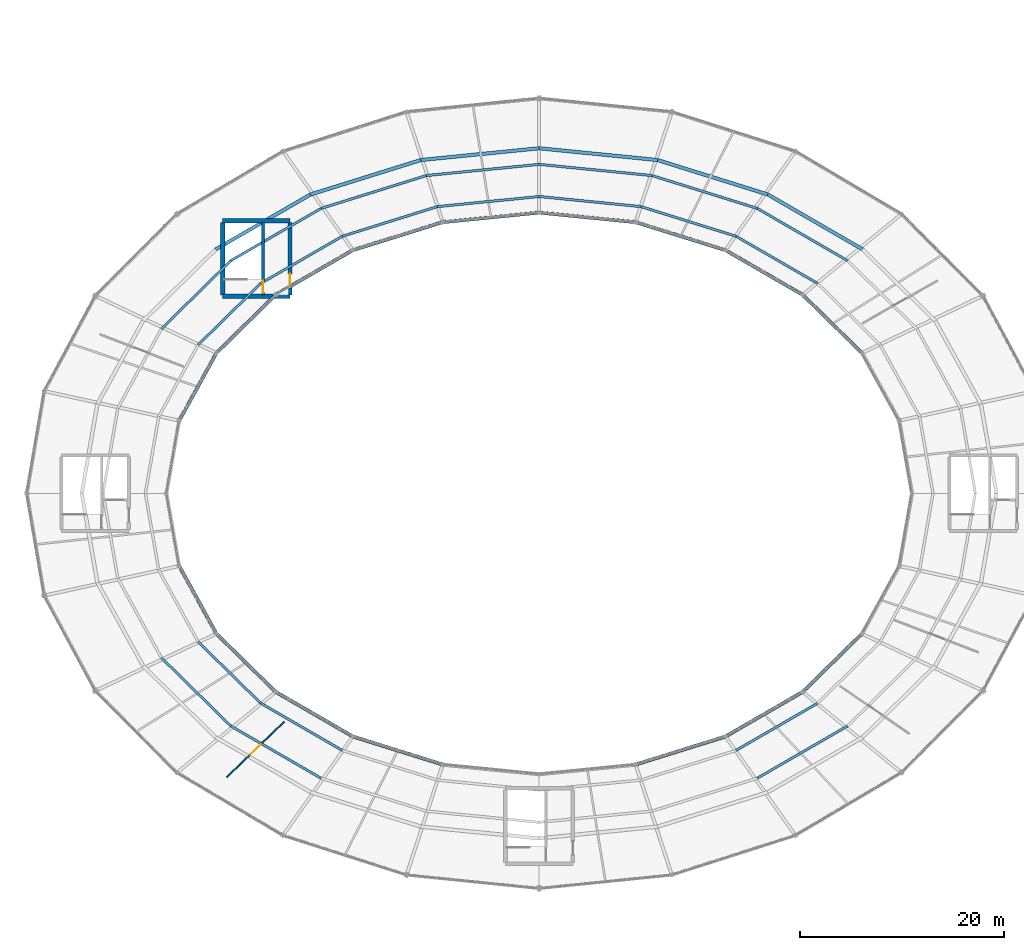
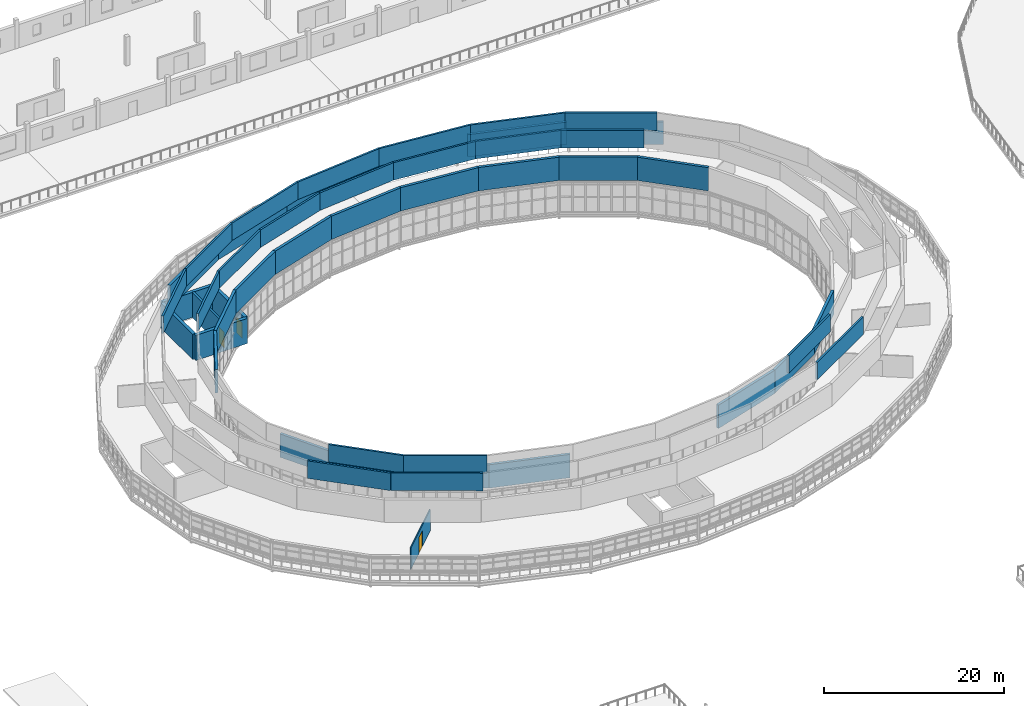
# One storey, part 102 of 123: 48 walls, 3 doors, 3 openings.
"""IFC4 building model written with IfcOpenShell, lengths in metres."""

from ifc_helpers import new_model, si_unit, direction, frame, frame_2d, origin, place, context, subcontext, project, spatial, rectangle, extrude, material, layer, layer_set, type_object, element, fill, save


model = new_model("IFC4")

# Units and contexts
model_context = context("Model", 3, precision=1e-05, world=origin(), true_north=direction((0.0, 1.0)))
body_context = subcontext(model_context, "Body", "Model", "MODEL_VIEW")
ifc_project = project(units=[si_unit("LENGTHUNIT", "METRE"), si_unit("AREAUNIT", "SQUARE_METRE"), si_unit("VOLUMEUNIT", "CUBIC_METRE"), si_unit("PLANEANGLEUNIT", "RADIAN"), si_unit("MASSUNIT", "GRAM", prefix="KILO")], contexts=[model_context])

# Site, building, storey
site_placement = place(None, origin())
site = spatial("IfcSite", under=ifc_project, at=site_placement, CompositionType="ELEMENT")
building_placement = place(site_placement, origin())
building = spatial("IfcBuilding", under=site, at=building_placement, Name="Kildeholm Park Wholesale Market", CompositionType="ELEMENT")
storey_placement = place(building_placement, frame((0.0, 0.0, 9.60009765625)))
storey = spatial("IfcBuildingStorey", under=building, at=storey_placement, Name="L02", CompositionType="ELEMENT", Elevation=9.60009765625)

# Walls
ifc_material_1 = material(Name="Precast concrete C40/50 architectural rainscreen wall", Category="concrete")
ifc_layer_1 = layer(ifc_material_1, 0.340087890625)
ifc_layer_set_1 = layer_set([ifc_layer_1], Name="Precast concrete C40/50 architectural rainscreen wall")
wall_type_1 = type_object("IfcWallType", Name="Exterior wall W-EX4 340 mm", PredefinedType="SOLIDWALL", material=ifc_layer_set_1)
wall_1_placement = place(storey_placement, frame((130.610107421875, 103.25, 4.389892578125), z_axis=(0.0, 0.0, 1.0), x_axis=(-0.713593723838, 0.700559774251, 0.0)))
element("IfcWall", 1, at=wall_1_placement, inside=storey, type_object=wall_type_1, Name="Vault inner lower wall 3 WL-0025", PredefinedType="SOLIDWALL", context=body_context, shape_type="SweptSolid", body=[
    extrude(rectangle(XDim=8.12939453125, YDim=0.340087890625, at=frame_2d((4.064697265625, 0.0))), origin(), (0.0, 0.0, 1.0), 3.159912109375),
])
wall_2_placement = place(storey_placement, frame((130.677978515625, 113.39990234375, 4.52978515625), z_axis=(0.0, 0.0, 1.0), x_axis=(-0.865403937833, 0.501074869039, 0.0)))
element("IfcWall", 2, at=wall_2_placement, inside=storey, type_object=wall_type_1, Name="Vault lantern clerestory wall 4 WL-0033", PredefinedType="SOLIDWALL", context=body_context, shape_type="SweptSolid", body=[
    extrude(rectangle(XDim=10.72119140625, YDim=0.340087890625, at=frame_2d((5.360595703125, 0.0))), origin(), (0.0, 0.0, 1.0), 3.02001953125),
])
wall_3_placement = place(storey_placement, frame((124.80908203125, 108.945068359375, 4.389892578125), z_axis=(0.0, 0.0, 1.0), x_axis=(-0.865697347457, 0.500567780231, 0.0)))
element("IfcWall", 3, at=wall_3_placement, inside=storey, type_object=wall_type_1, Name="Vault inner lower wall 4 WL-0034", PredefinedType="SOLIDWALL", context=body_context, shape_type="SweptSolid", body=[
    extrude(rectangle(XDim=8.731689453125, YDim=0.340087890625, at=frame_2d((4.36572265625, 0.0))), origin(), (0.0, 0.0, 1.0), 3.159912109375),
])
wall_4_placement = place(storey_placement, frame((129.2109375, 112.287109375, 7.579833984375), z_axis=(0.0, 0.0, 1.0), x_axis=(-0.865494949489, 0.500917650328, 0.0)))
element("IfcWall", 4, at=wall_4_placement, inside=storey, type_object=wall_type_1, Name="Vault crown outer clerestory 4 WL-0035", PredefinedType="SOLIDWALL", context=body_context, shape_type="SweptSolid", body=[
    extrude(rectangle(XDim=10.222900390625, YDim=0.239990234375, at=frame_2d((5.111328125, 0.0))), origin(), (0.0, 0.0, 1.0), 2.3701171875),
])
wall_5_placement = place(storey_placement, frame((126.277099609375, 110.05908203125, 7.579833984375), z_axis=(0.0, 0.0, 1.0), x_axis=(-0.865631472937, 0.500681688362, 0.0)))
element("IfcWall", 5, at=wall_5_placement, inside=storey, type_object=wall_type_1, Name="Vault crown inner clerestory 4 WL-0036", PredefinedType="SOLIDWALL", context=body_context, shape_type="SweptSolid", body=[
    extrude(rectangle(XDim=9.22900390625, YDim=0.239990234375, at=frame_2d((4.614501953125, 0.0))), origin(), (0.0, 0.0, 1.0), 2.3701171875),
])
wall_6_placement = place(storey_placement, frame((121.39990234375, 118.77197265625, 4.52978515625), z_axis=(0.0, 0.0, 1.0), x_axis=(-0.95449417592, 0.298229556107, 0.0)))
element("IfcWall", 6, at=wall_6_placement, inside=storey, type_object=wall_type_1, Name="Vault lantern clerestory wall 5 WL-0042", PredefinedType="SOLIDWALL", context=body_context, shape_type="SweptSolid", body=[
    extrude(rectangle(XDim=11.320068359375, YDim=0.340087890625, at=frame_2d((5.66015625, 0.0))), origin(), (0.0, 0.0, 1.0), 3.02001953125),
])
wall_7_placement = place(storey_placement, frame((117.25, 113.31591796875, 4.389892578125), z_axis=(0.0, 0.0, 1.0), x_axis=(-0.9545990852, 0.297893582568, 0.0)))
element("IfcWall", 7, at=wall_7_placement, inside=storey, type_object=wall_type_1, Name="Vault inner lower wall 5 WL-0043", PredefinedType="SOLIDWALL", context=body_context, shape_type="SweptSolid", body=[
    extrude(rectangle(XDim=9.2216796875, YDim=0.340087890625, at=frame_2d((4.61083984375, 0.0))), origin(), (0.0, 0.0, 1.0), 3.159912109375),
])
wall_8_placement = place(storey_placement, frame((120.363037109375, 117.407958984375, 7.579833984375), z_axis=(0.0, 0.0, 1.0), x_axis=(-0.954514174424, 0.298165542651, 0.0)))
element("IfcWall", 8, at=wall_8_placement, inside=storey, type_object=wall_type_1, Name="Vault crown outer clerestory 5 WL-0044", PredefinedType="SOLIDWALL", context=body_context, shape_type="SweptSolid", body=[
    extrude(rectangle(XDim=10.7958984375, YDim=0.239990234375, at=frame_2d((5.39794921875, 0.0))), origin(), (0.0, 0.0, 1.0), 2.3701171875),
])
wall_9_placement = place(storey_placement, frame((118.2880859375, 114.679931640625, 7.579833984375), z_axis=(0.0, 0.0, 1.0), x_axis=(-0.954582431614, 0.29794694369, 0.0)))
element("IfcWall", 9, at=wall_9_placement, inside=storey, type_object=wall_type_1, Name="Vault crown inner clerestory 5 WL-0045", PredefinedType="SOLIDWALL", context=body_context, shape_type="SweptSolid", body=[
    extrude(rectangle(XDim=9.746826171875, YDim=0.239990234375, at=frame_2d((4.87353515625, 0.0))), origin(), (0.0, 0.0, 1.0), 2.3701171875),
])
wall_10_placement = place(storey_placement, frame((110.594970703125, 122.14794921875, 4.52978515625), z_axis=(0.0, 0.0, 1.0), x_axis=(-0.995099849345, 0.098875122419, 0.0)))
element("IfcWall", 10, at=wall_10_placement, inside=storey, type_object=wall_type_1, Name="Vault lantern clerestory wall 6 WL-0046", PredefinedType="SOLIDWALL", context=body_context, shape_type="SweptSolid", body=[
    extrude(rectangle(XDim=11.652099609375, YDim=0.340087890625, at=frame_2d((5.826171875, 0.0))), origin(), (0.0, 0.0, 1.0), 3.02001953125),
])
wall_11_placement = place(storey_placement, frame((108.447021484375, 116.06298828125, 4.389892578125), z_axis=(0.0, 0.0, 1.0), x_axis=(-0.995117073258, 0.098701623651, 0.0)))
element("IfcWall", 11, at=wall_11_placement, inside=storey, type_object=wall_type_1, Name="Vault inner lower wall 6 WL-0047", PredefinedType="SOLIDWALL", context=body_context, shape_type="SweptSolid", body=[
    extrude(rectangle(XDim=9.493408203125, YDim=0.340087890625, at=frame_2d((4.74658203125, 0.0))), origin(), (0.0, 0.0, 1.0), 3.159912109375),
])
wall_12_placement = place(storey_placement, frame((110.05810546875, 120.626953125, 7.579833984375), z_axis=(0.0, 0.0, 1.0), x_axis=(-0.995105258288, 0.098820670548, 0.0)))
element("IfcWall", 12, at=wall_12_placement, inside=storey, type_object=wall_type_1, Name="Vault crown outer clerestory 6 WL-0048", PredefinedType="SOLIDWALL", context=body_context, shape_type="SweptSolid", body=[
    extrude(rectangle(XDim=11.112548828125, YDim=0.239990234375, at=frame_2d((5.55615234375, 0.0))), origin(), (0.0, 0.0, 1.0), 2.3701171875),
])
wall_13_placement = place(storey_placement, frame((108.98388671875, 117.583984375, 7.579833984375), z_axis=(0.0, 0.0, 1.0), x_axis=(-0.995110163253, 0.098771266021, 0.0)))
element("IfcWall", 13, at=wall_13_placement, inside=storey, type_object=wall_type_1, Name="Vault crown inner clerestory 6 WL-0049", PredefinedType="SOLIDWALL", context=body_context, shape_type="SweptSolid", body=[
    extrude(rectangle(XDim=10.032958984375, YDim=0.239990234375, at=frame_2d((5.0166015625, 0.0))), origin(), (0.0, 0.0, 1.0), 2.3701171875),
])
wall_14_placement = place(storey_placement, frame((99.0, 123.300048828125, 4.52978515625), z_axis=(0.0, 0.0, 1.0), x_axis=(-0.995099849345, -0.098875122419, 0.0)))
element("IfcWall", 14, at=wall_14_placement, inside=storey, type_object=wall_type_1, Name="Vault lantern clerestory wall 7 WL-0055", PredefinedType="SOLIDWALL", context=body_context, shape_type="SweptSolid", body=[
    extrude(rectangle(XDim=11.652099609375, YDim=0.340087890625, at=frame_2d((5.826171875, 0.0))), origin(), (0.0, 0.0, 1.0), 3.02001953125),
])
wall_15_placement = place(storey_placement, frame((99.0, 117.0, 4.389892578125), z_axis=(0.0, 0.0, 1.0), x_axis=(-0.995117073258, -0.098701623651, 0.0)))
element("IfcWall", 15, at=wall_15_placement, inside=storey, type_object=wall_type_1, Name="Vault inner lower wall 7 WL-0056", PredefinedType="SOLIDWALL", context=body_context, shape_type="SweptSolid", body=[
    extrude(rectangle(XDim=9.493408203125, YDim=0.340087890625, at=frame_2d((4.74658203125, 0.0))), origin(), (0.0, 0.0, 1.0), 3.159912109375),
])
wall_16_placement = place(storey_placement, frame((99.0, 121.72509765625, 7.579833984375), z_axis=(0.0, 0.0, 1.0), x_axis=(-0.995105258288, -0.098820670548, 0.0)))
element("IfcWall", 16, at=wall_16_placement, inside=storey, type_object=wall_type_1, Name="Vault crown outer clerestory 7 WL-0057", PredefinedType="SOLIDWALL", context=body_context, shape_type="SweptSolid", body=[
    extrude(rectangle(XDim=11.112548828125, YDim=0.239990234375, at=frame_2d((5.55615234375, 0.0))), origin(), (0.0, 0.0, 1.0), 2.3701171875),
])
wall_17_placement = place(storey_placement, frame((99.0, 118.574951171875, 7.579833984375), z_axis=(0.0, 0.0, 1.0), x_axis=(-0.995110163253, -0.098771266021, 0.0)))
element("IfcWall", 17, at=wall_17_placement, inside=storey, type_object=wall_type_1, Name="Vault crown inner clerestory 7 WL-0058", PredefinedType="SOLIDWALL", context=body_context, shape_type="SweptSolid", body=[
    extrude(rectangle(XDim=10.032958984375, YDim=0.239990234375, at=frame_2d((5.0166015625, 0.0))), origin(), (0.0, 0.0, 1.0), 2.3701171875),
])
wall_18_placement = place(storey_placement, frame((87.405029296875, 122.14794921875, 4.52978515625), z_axis=(0.0, 0.0, 1.0), x_axis=(-0.95449417592, -0.298229556107, 0.0)))
element("IfcWall", 18, at=wall_18_placement, inside=storey, type_object=wall_type_1, Name="Vault lantern clerestory wall 8 WL-0059", PredefinedType="SOLIDWALL", context=body_context, shape_type="SweptSolid", body=[
    extrude(rectangle(XDim=11.320068359375, YDim=0.340087890625, at=frame_2d((5.66015625, 0.0))), origin(), (0.0, 0.0, 1.0), 3.02001953125),
])
wall_19_placement = place(storey_placement, frame((89.552978515625, 116.06298828125, 4.389892578125), z_axis=(0.0, 0.0, 1.0), x_axis=(-0.9545990852, -0.297893582568, 0.0)))
element("IfcWall", 19, at=wall_19_placement, inside=storey, type_object=wall_type_1, Name="Vault inner lower wall 8 WL-0060", PredefinedType="SOLIDWALL", context=body_context, shape_type="SweptSolid", body=[
    extrude(rectangle(XDim=9.2216796875, YDim=0.340087890625, at=frame_2d((4.61083984375, 0.0))), origin(), (0.0, 0.0, 1.0), 3.159912109375),
])
wall_20_placement = place(storey_placement, frame((87.94189453125, 120.626953125, 7.579833984375), z_axis=(0.0, 0.0, 1.0), x_axis=(-0.954506131601, -0.298191288832, 0.0)))
element("IfcWall", 20, at=wall_20_placement, inside=storey, type_object=wall_type_1, Name="Vault crown outer clerestory 8 WL-0061", PredefinedType="SOLIDWALL", context=body_context, shape_type="SweptSolid", body=[
    extrude(rectangle(XDim=10.795166015625, YDim=0.239990234375, at=frame_2d((5.3974609375, 0.0))), origin(), (0.0, 0.0, 1.0), 2.3701171875),
])
wall_21_placement = place(storey_placement, frame((89.01611328125, 117.583984375, 7.579833984375), z_axis=(0.0, 0.0, 1.0), x_axis=(-0.954573536026, -0.297975442477, 0.0)))
element("IfcWall", 21, at=wall_21_placement, inside=storey, type_object=wall_type_1, Name="Vault crown inner clerestory 8 WL-0062", PredefinedType="SOLIDWALL", context=body_context, shape_type="SweptSolid", body=[
    extrude(rectangle(XDim=9.745849609375, YDim=0.239990234375, at=frame_2d((4.873046875, 0.0))), origin(), (0.0, 0.0, 1.0), 2.3701171875),
])
wall_22_placement = place(storey_placement, frame((76.60009765625, 118.77197265625, 4.52978515625), z_axis=(0.0, 0.0, 1.0), x_axis=(-0.865403937833, -0.501074869039, 0.0)))
element("IfcWall", 22, at=wall_22_placement, inside=storey, type_object=wall_type_1, Name="Vault lantern clerestory wall 9 WL-0068", PredefinedType="SOLIDWALL", context=body_context, shape_type="SweptSolid", body=[
    extrude(rectangle(XDim=10.72119140625, YDim=0.340087890625, at=frame_2d((5.360595703125, 0.0))), origin(), (0.0, 0.0, 1.0), 3.02001953125),
])
wall_23_placement = place(storey_placement, frame((80.75, 113.31591796875, 4.389892578125), z_axis=(0.0, 0.0, 1.0), x_axis=(-0.865697347457, -0.500567780231, 0.0)))
element("IfcWall", 23, at=wall_23_placement, inside=storey, type_object=wall_type_1, Name="Vault inner lower wall 9 WL-0069", PredefinedType="SOLIDWALL", context=body_context, shape_type="SweptSolid", body=[
    extrude(rectangle(XDim=8.731689453125, YDim=0.340087890625, at=frame_2d((4.36572265625, 0.0))), origin(), (0.0, 0.0, 1.0), 3.159912109375),
])
wall_24_placement = place(storey_placement, frame((77.637939453125, 117.407958984375, 7.579833984375), z_axis=(0.0, 0.0, 1.0), x_axis=(-0.865518915909, -0.50087623841, 0.0)))
element("IfcWall", 24, at=wall_24_placement, inside=storey, type_object=wall_type_1, Name="Vault crown outer clerestory 9 WL-0070", PredefinedType="SOLIDWALL", context=body_context, shape_type="SweptSolid", body=[
    extrude(rectangle(XDim=10.223876953125, YDim=0.239990234375, at=frame_2d((5.11181640625, 0.0))), origin(), (0.0, 0.0, 1.0), 2.3701171875),
])
wall_25_placement = place(storey_placement, frame((79.712890625, 114.679931640625, 7.579833984375), z_axis=(0.0, 0.0, 1.0), x_axis=(-0.865657994778, -0.500635831795, 0.0)))
element("IfcWall", 25, at=wall_25_placement, inside=storey, type_object=wall_type_1, Name="Vault crown inner clerestory 9 WL-0071", PredefinedType="SOLIDWALL", context=body_context, shape_type="SweptSolid", body=[
    extrude(rectangle(XDim=9.22998046875, YDim=0.239990234375, at=frame_2d((4.614990234375, 0.0))), origin(), (0.0, 0.0, 1.0), 2.3701171875),
])
wall_26_placement = place(storey_placement, frame((73.19091796875, 108.945068359375, 4.389892578125), z_axis=(0.0, 0.0, 1.0), x_axis=(-0.713593723838, -0.700559774251, 0.0)))
element("IfcWall", 26, at=wall_26_placement, inside=storey, type_object=wall_type_1, Name="Vault inner lower wall 10 WL-0078", PredefinedType="SOLIDWALL", context=body_context, shape_type="SweptSolid", body=[
    extrude(rectangle(XDim=8.12939453125, YDim=0.340087890625, at=frame_2d((4.064697265625, 0.0))), origin(), (0.0, 0.0, 1.0), 3.159912109375),
])
wall_27_placement = place(storey_placement, frame((68.7890625, 112.287109375, 7.579833984375), z_axis=(0.0, 0.0, 1.0), x_axis=(-0.71311938496, -0.701042611254, 0.0)))
element("IfcWall", 27, at=wall_27_placement, inside=storey, type_object=wall_type_1, Name="Vault crown outer clerestory 10 WL-0079", PredefinedType="SOLIDWALL", context=body_context, shape_type="SweptSolid", body=[
    extrude(rectangle(XDim=9.521484375, YDim=0.239990234375, at=frame_2d((4.7607421875, 0.0))), origin(), (0.0, 0.0, 1.0), 2.3701171875),
])
wall_28_placement = place(storey_placement, frame((71.722900390625, 110.05908203125, 7.579833984375), z_axis=(0.0, 0.0, 1.0), x_axis=(-0.713357861119, -0.700799944335, 0.0)))
element("IfcWall", 28, at=wall_28_placement, inside=storey, type_object=wall_type_1, Name="Vault crown inner clerestory 10 WL-0080", PredefinedType="SOLIDWALL", context=body_context, shape_type="SweptSolid", body=[
    extrude(rectangle(XDim=8.593017578125, YDim=0.239990234375, at=frame_2d((4.29638671875, 0.0))), origin(), (0.0, 0.0, 1.0), 2.3701171875),
])
for number, where, z_axis, x_axis, name in (
    (29, (67.389892578125, 103.25, 4.389892578125), (0.0, 0.0, 1.0), (-0.481751565348, -0.876307839338, 0.0), "Vault inner lower wall 11 WL-0087"),
    (30, (63.743896484375, 82.382080078125, 4.389892578125), (0.0, 0.0, 1.0), (0.481751565348, -0.876307839338, 0.0), "Vault inner lower wall 14 WL-0114"),
):
    element("IfcWall", number, at=place(storey_placement, frame(where, z_axis=z_axis, x_axis=x_axis)), inside=storey, type_object=wall_type_1, Name=name, PredefinedType="SOLIDWALL", context=body_context, shape_type="SweptSolid", body=[
        extrude(rectangle(XDim=7.568115234375, YDim=0.340087890625, at=frame_2d((3.7841796875, 0.0))), origin(), (0.0, 0.0, 1.0), 3.159912109375),
    ])
wall_29_placement = place(storey_placement, frame((67.389892578125, 75.75, 4.389892578125), z_axis=(0.0, 0.0, 1.0), x_axis=(0.713593723838, -0.700559774251, 0.0)))
element("IfcWall", 31, at=wall_29_placement, inside=storey, type_object=wall_type_1, Name="Vault inner lower wall 15 WL-0123", PredefinedType="SOLIDWALL", context=body_context, shape_type="SweptSolid", body=[
    extrude(rectangle(XDim=8.12939453125, YDim=0.340087890625, at=frame_2d((4.064697265625, 0.0))), origin(), (0.0, 0.0, 1.0), 3.159912109375),
])
wall_30_placement = place(storey_placement, frame((61.9990234375, 73.386962890625, 7.579833984375), z_axis=(0.0, 0.0, 1.0), x_axis=(0.713170660677, -0.700990448401, 0.0)))
element("IfcWall", 32, at=wall_30_placement, inside=storey, type_object=wall_type_1, Name="Vault crown outer clerestory 15 WL-0124", PredefinedType="SOLIDWALL", context=body_context, shape_type="SweptSolid", body=[
    extrude(rectangle(XDim=9.52099609375, YDim=0.239990234375, at=frame_2d((4.760498046875, 0.0))), origin(), (0.0, 0.0, 1.0), 2.3701171875),
])
wall_31_placement = place(storey_placement, frame((65.593017578125, 74.9619140625, 7.579833984375), z_axis=(0.0, 0.0, 1.0), x_axis=(0.713414677491, -0.700742105157, 0.0)))
element("IfcWall", 33, at=wall_31_placement, inside=storey, type_object=wall_type_1, Name="Vault crown inner clerestory 15 WL-0125", PredefinedType="SOLIDWALL", context=body_context, shape_type="SweptSolid", body=[
    extrude(rectangle(XDim=8.59228515625, YDim=0.239990234375, at=frame_2d((4.296142578125, 0.0))), origin(), (0.0, 0.0, 1.0), 2.3701171875),
])
wall_32_placement = place(storey_placement, frame((73.19091796875, 70.054931640625, 4.389892578125), z_axis=(0.0, 0.0, 1.0), x_axis=(0.865697347457, -0.500567780231, 0.0)))
element("IfcWall", 34, at=wall_32_placement, inside=storey, type_object=wall_type_1, Name="Vault inner lower wall 16 WL-0132", PredefinedType="SOLIDWALL", context=body_context, shape_type="SweptSolid", body=[
    extrude(rectangle(XDim=8.731689453125, YDim=0.340087890625, at=frame_2d((4.36572265625, 0.0))), origin(), (0.0, 0.0, 1.0), 3.159912109375),
])
wall_33_placement = place(storey_placement, frame((68.7890625, 66.712890625, 7.579833984375), z_axis=(0.0, 0.0, 1.0), x_axis=(0.865494949489, -0.500917650328, 0.0)))
element("IfcWall", 35, at=wall_33_placement, inside=storey, type_object=wall_type_1, Name="Vault crown outer clerestory 16 WL-0133", PredefinedType="SOLIDWALL", context=body_context, shape_type="SweptSolid", body=[
    extrude(rectangle(XDim=10.222900390625, YDim=0.239990234375, at=frame_2d((5.111328125, 0.0))), origin(), (0.0, 0.0, 1.0), 2.3701171875),
])
wall_34_placement = place(storey_placement, frame((71.722900390625, 68.94091796875, 7.579833984375), z_axis=(0.0, 0.0, 1.0), x_axis=(0.865631472937, -0.500681688362, 0.0)))
element("IfcWall", 36, at=wall_34_placement, inside=storey, type_object=wall_type_1, Name="Vault crown inner clerestory 16 WL-0134", PredefinedType="SOLIDWALL", context=body_context, shape_type="SweptSolid", body=[
    extrude(rectangle(XDim=9.22900390625, YDim=0.239990234375, at=frame_2d((4.614501953125, 0.0))), origin(), (0.0, 0.0, 1.0), 2.3701171875),
])
for number, where, z_axis, x_axis, name in (
    (37, (80.75, 65.68408203125, 4.389892578125), (0.0, 0.0, 1.0), (0.9545990852, -0.297893582568, 0.0), "Vault inner lower wall 17 WL-0141"),
    (38, (108.447021484375, 62.93701171875, 4.389892578125), (0.0, 0.0, 1.0), (0.9545990852, 0.297893582568, 0.0), "Vault inner lower wall 20 WL-0168"),
):
    element("IfcWall", number, at=place(storey_placement, frame(where, z_axis=z_axis, x_axis=x_axis)), inside=storey, type_object=wall_type_1, Name=name, PredefinedType="SOLIDWALL", context=body_context, shape_type="SweptSolid", body=[
        extrude(rectangle(XDim=9.2216796875, YDim=0.340087890625, at=frame_2d((4.61083984375, 0.0))), origin(), (0.0, 0.0, 1.0), 3.159912109375),
    ])
wall_35_placement = place(storey_placement, frame((117.25, 65.68408203125, 4.389892578125), z_axis=(0.0, 0.0, 1.0), x_axis=(0.865697347457, 0.500567780231, 0.0)))
element("IfcWall", 39, at=wall_35_placement, inside=storey, type_object=wall_type_1, Name="Vault inner lower wall 21 WL-0177", PredefinedType="SOLIDWALL", context=body_context, shape_type="SweptSolid", body=[
    extrude(rectangle(XDim=8.731689453125, YDim=0.340087890625, at=frame_2d((4.36572265625, 0.0))), origin(), (0.0, 0.0, 1.0), 3.159912109375),
])
wall_36_placement = place(storey_placement, frame((120.363037109375, 61.592041015625, 7.579833984375), z_axis=(0.0, 0.0, 1.0), x_axis=(0.865494949489, 0.500917650328, 0.0)))
element("IfcWall", 40, at=wall_36_placement, inside=storey, type_object=wall_type_1, Name="Vault crown outer clerestory 21 WL-0178", PredefinedType="SOLIDWALL", context=body_context, shape_type="SweptSolid", body=[
    extrude(rectangle(XDim=10.222900390625, YDim=0.239990234375, at=frame_2d((5.111328125, 0.0))), origin(), (0.0, 0.0, 1.0), 2.3701171875),
])
wall_37_placement = place(storey_placement, frame((118.2880859375, 64.320068359375, 7.579833984375), z_axis=(0.0, 0.0, 1.0), x_axis=(0.865631472937, 0.500681688362, 0.0)))
element("IfcWall", 41, at=wall_37_placement, inside=storey, type_object=wall_type_1, Name="Vault crown inner clerestory 21 WL-0179", PredefinedType="SOLIDWALL", context=body_context, shape_type="SweptSolid", body=[
    extrude(rectangle(XDim=9.22900390625, YDim=0.239990234375, at=frame_2d((4.614501953125, 0.0))), origin(), (0.0, 0.0, 1.0), 2.3701171875),
])
wall_38_placement = place(storey_placement, frame((124.80908203125, 70.054931640625, 4.389892578125), z_axis=(0.0, 0.0, 1.0), x_axis=(0.713593723838, 0.700559774251, 0.0)))
element("IfcWall", 42, at=wall_38_placement, inside=storey, type_object=wall_type_1, Name="Vault inner lower wall 22 WL-0186", PredefinedType="SOLIDWALL", context=body_context, shape_type="SweptSolid", body=[
    extrude(rectangle(XDim=8.12939453125, YDim=0.340087890625, at=frame_2d((4.064697265625, 0.0))), origin(), (0.0, 0.0, 1.0), 3.159912109375),
])

# Wall, opening, door
ifc_material_2 = material(Name="Glazed office and laboratory acoustic partition")
ifc_layer_2 = layer(ifc_material_2, 0.1298828125)
ifc_layer_set_2 = layer_set([ifc_layer_2], Name="Glazed office and laboratory acoustic partition")
wall_type_2 = type_object("IfcWallType", Name="Partition W-PT12 130 mm", PredefinedType="PARTITIONING", material=ifc_layer_set_2)
wall_39_placement = place(storey_placement, frame((74.028076171875, 67.126953125, 0.0), z_axis=(0.0, 0.0, 1.0), x_axis=(-0.718851460144, -0.695163706078, 0.0)))
wall_39 = element("IfcWall", 43, at=wall_39_placement, inside=storey, type_object=wall_type_2, Name="Interior partition W-V1-ST2-15 WL-0946", PredefinedType="PARTITIONING", context=body_context, shape_type="SweptSolid", body=[
    extrude(rectangle(XDim=7.8125, YDim=0.1298828125, at=frame_2d((3.90625, 0.0))), origin(), (0.0, 0.0, 1.0), 2.89990234375),
])
opening_1_placement = place(wall_39_placement, frame((3.180908203125, 0.0, 0.0)))
opening_1 = element("IfcOpeningElement", 44, at=opening_1_placement, cuts=wall_39, Name="Opening D-IN08", PredefinedType="OPENING", context=body_context, shape_type="SweptSolid", body=[
    extrude(rectangle(XDim=1.449951171875, YDim=2.14990234375, at=frame_2d((0.72509765625, 1.074951171875))), frame((0.0, 0.074951171875, 0.0), z_axis=(0.0, -1.0, 0.0), x_axis=(1.0, 0.0, 0.0)), (0.0, 0.0, 1.0), 0.14990234375),
])
ifc_material_3 = material(Name="Buyers exchange glazed doorset")
door_type_1 = type_object("IfcDoorType", Name="Interior door D-IN08 1450x2150", OperationType="NOTDEFINED", PredefinedType="DOOR", material=ifc_material_3)
door_1_placement = place(opening_1_placement, origin())
door_1 = element("IfcDoor", 45, at=door_1_placement, inside=storey, type_object=door_type_1, Name="Interior door V1-ST2-15 DR-0221 WL-0946", OperationType="SINGLE_SWING_LEFT", OverallHeight=2.14990234375, OverallWidth=1.449951171875, PredefinedType="DOOR", context=body_context, shape_type="SweptSolid", body=[
    extrude(rectangle(XDim=1.449951171875, YDim=2.14990234375, at=frame_2d((0.72509765625, 1.074951171875))), frame((0.0, 0.02490234375, 0.0), z_axis=(0.0, -1.0, 0.0), x_axis=(1.0, 0.0, 0.0)), (0.0, 0.0, 1.0), 0.050048828125),
])
fill(opening_1, door_1)

ifc_material_4 = material(Name="Concrete C40/50", Category="concrete")
ifc_layer_3 = layer(ifc_material_4, 0.25)
ifc_layer_set_3 = layer_set([ifc_layer_3], Name="Concrete C40/50")
wall_type_3 = type_object("IfcWallType", Name="Shear wall W-SH2 250 mm", PredefinedType="SHEAR", material=ifc_layer_set_3)
wall_40_placement = place(storey_placement, frame((71.949951171875, 108.949951171875, 0.0), z_axis=(0.0, 0.0, 1.0), x_axis=(0.0, 1.0, 0.0)))
wall_40 = element("IfcWall", 46, at=wall_40_placement, inside=storey, type_object=wall_type_3, Name="Core C11 shaft wall L02 WL-0857", PredefinedType="SHEAR", context=body_context, shape_type="SweptSolid", body=[
    extrude(rectangle(XDim=7.10009765625, YDim=0.25, at=frame_2d((3.550048828125, 0.0))), origin(), (0.0, 0.0, 1.0), 3.39990234375),
])
opening_2_placement = place(wall_40_placement, frame((0.199951171875, 0.0, 0.0)))
opening_2 = element("IfcOpeningElement", 47, at=opening_2_placement, cuts=wall_40, Name="Opening D-CR01", PredefinedType="OPENING", context=body_context, shape_type="SweptSolid", body=[
    extrude(rectangle(XDim=1.14990234375, YDim=2.14990234375, at=frame_2d((0.574951171875, 1.074951171875))), frame((0.0, 0.135009765625, 0.0), z_axis=(0.0, -1.0, 0.0), x_axis=(1.0, 0.0, 0.0)), (0.0, 0.0, 1.0), 0.27001953125),
])
ifc_material_5 = material(Name="Painted steel fire escape doorset", Category="steel")
door_type_2 = type_object("IfcDoorType", Name="Interior door D-CR01 1150x2150", OperationType="NOTDEFINED", PredefinedType="DOOR", material=ifc_material_5)
door_2_placement = place(opening_2_placement, frame((1.14990234375, 0.0, 0.0), z_axis=(0.0, 0.0, 1.0), x_axis=(-1.0, 0.0, 0.0)))
door_2 = element("IfcDoor", 48, at=door_2_placement, inside=storey, type_object=door_type_2, Name="Core C11 stair fire door L02 DR-0179 WL-0857", OperationType="SINGLE_SWING_RIGHT", OverallHeight=2.14990234375, OverallWidth=1.14990234375, PredefinedType="DOOR", context=body_context, shape_type="SweptSolid", body=[
    extrude(rectangle(XDim=1.14990234375, YDim=2.14990234375, at=frame_2d((0.574951171875, 1.074951171875))), frame((0.0, 0.02490234375, 0.0), z_axis=(0.0, -1.0, 0.0), x_axis=(1.0, 0.0, 0.0)), (0.0, 0.0, 1.0), 0.050048828125),
])
fill(opening_2, door_2)

# Walls
ifc_layer_4 = layer(ifc_material_4, 0.419921875)
ifc_layer_set_4 = layer_set([ifc_layer_4], Name="Concrete C40/50")
wall_type_4 = type_object("IfcWallType", Name="Shear wall W-SH4 420 mm", PredefinedType="SHEAR", material=ifc_layer_set_4)
for number, where, z_axis, x_axis, name in (
    (49, (68.0, 108.800048828125, 0.0), (0.0, 0.0, 1.0), (1.0, 0.0, 0.0), "Core C11 south shear wall L02 WL-0853"),
    (50, (68.0, 116.199951171875, 0.0), (0.0, 0.0, 1.0), (1.0, 0.0, 0.0), "Core C11 north shear wall L02 WL-0854"),
):
    element("IfcWall", number, at=place(storey_placement, frame(where, z_axis=z_axis, x_axis=x_axis)), inside=storey, type_object=wall_type_4, Name=name, PredefinedType="SHEAR", context=body_context, shape_type="SweptSolid", body=[
        extrude(rectangle(XDim=6.60009765625, YDim=0.419921875, at=frame_2d((3.300048828125, 0.0))), origin(), (0.0, 0.0, 1.0), 3.39990234375),
    ])
wall_41_placement = place(storey_placement, frame((68.0, 108.949951171875, 0.0), z_axis=(0.0, 0.0, 1.0), x_axis=(0.0, 1.0, 0.0)))
element("IfcWall", 51, at=wall_41_placement, inside=storey, type_object=wall_type_4, Name="Core C11 west shear wall L02 WL-0855", PredefinedType="SHEAR", context=body_context, shape_type="SweptSolid", body=[
    extrude(rectangle(XDim=7.10009765625, YDim=0.419921875, at=frame_2d((3.550048828125, 0.0))), origin(), (0.0, 0.0, 1.0), 3.39990234375),
])

# Wall, opening, door
wall_42_placement = place(storey_placement, frame((74.60009765625, 108.949951171875, 0.0), z_axis=(0.0, 0.0, 1.0), x_axis=(0.0, 1.0, 0.0)))
wall_42 = element("IfcWall", 52, at=wall_42_placement, inside=storey, type_object=wall_type_4, Name="Core C11 east shear wall L02 WL-0856", PredefinedType="SHEAR", context=body_context, shape_type="SweptSolid", body=[
    extrude(rectangle(XDim=7.10009765625, YDim=0.419921875, at=frame_2d((3.550048828125, 0.0))), origin(), (0.0, 0.0, 1.0), 3.39990234375),
])
opening_3_placement = place(wall_42_placement, frame((0.75, 0.0, 0.0)))
opening_3 = element("IfcOpeningElement", 53, at=opening_3_placement, cuts=wall_42, Name="Opening D-CR02", PredefinedType="OPENING", context=body_context, shape_type="SweptSolid", body=[
    extrude(rectangle(XDim=1.300048828125, YDim=2.14990234375, at=frame_2d((0.64990234375, 1.074951171875))), frame((0.0, 0.219970703125, 0.0), z_axis=(0.0, -1.0, 0.0), x_axis=(1.0, 0.0, 0.0)), (0.0, 0.0, 1.0), 0.43994140625),
])
ifc_material_6 = material(Name="Painted steel core lobby double-leaf doorset", Category="steel")
door_type_3 = type_object("IfcDoorType", Name="Interior door D-CR02 1300x2150", OperationType="NOTDEFINED", PredefinedType="DOOR", material=ifc_material_6)
door_3_placement = place(opening_3_placement, frame((1.300048828125, 0.0, 0.0), z_axis=(0.0, 0.0, 1.0), x_axis=(-1.0, 0.0, 0.0)))
door_3 = element("IfcDoor", 54, at=door_3_placement, inside=storey, type_object=door_type_3, Name="Core C11 lobby entrance door L02 DR-0178 WL-0856", OperationType="DOUBLE_DOOR_SINGLE_SWING", OverallHeight=2.14990234375, OverallWidth=1.300048828125, PredefinedType="DOOR", context=body_context, shape_type="SweptSolid", body=[
    extrude(rectangle(XDim=1.300048828125, YDim=2.14990234375, at=frame_2d((0.64990234375, 1.074951171875))), frame((0.0, 0.02490234375, 0.0), z_axis=(0.0, -1.0, 0.0), x_axis=(1.0, 0.0, 0.0)), (0.0, 0.0, 1.0), 0.050048828125),
])
fill(opening_3, door_3)

save(model, "model.ifc")
